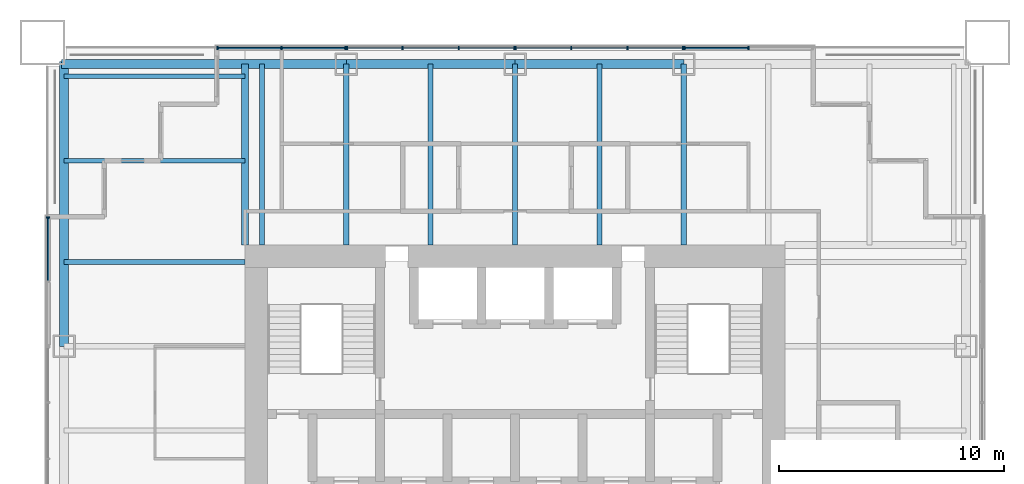
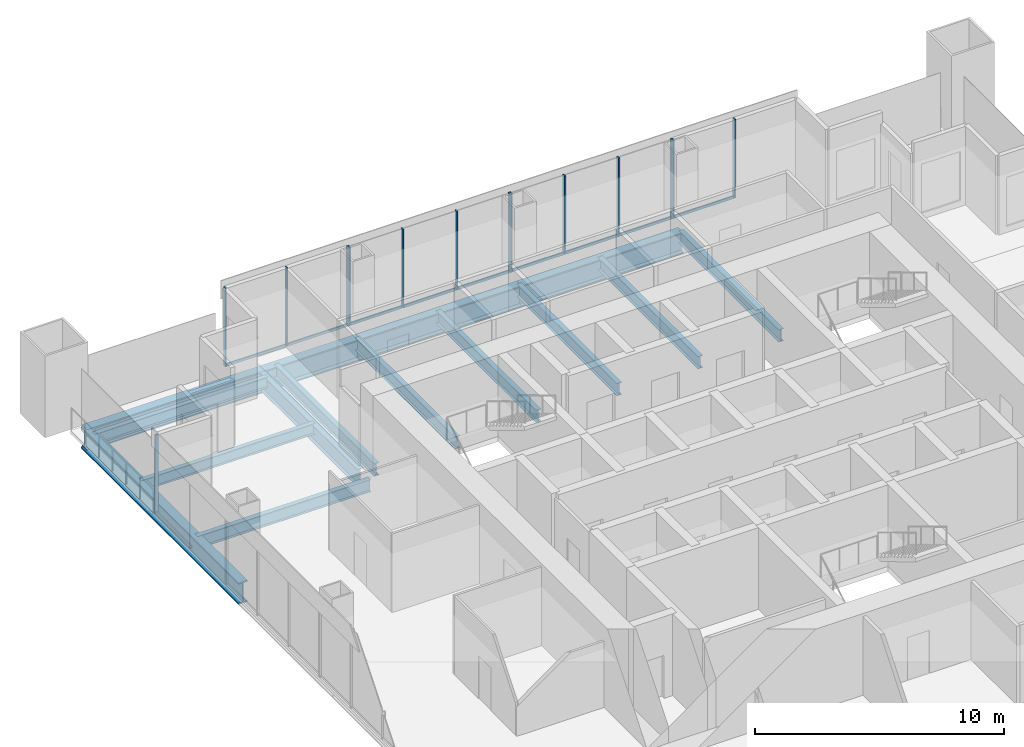
# One storey, part 6 of 14: 24 members, 14 beams, 5 elements without a shape of their own.
"""IFC4 building model written with IfcOpenShell, lengths in metres."""

from ifc_helpers import new_model, si_unit, direction, frame, origin, origin_2d, place, context, subcontext, project, spatial, rectangle, i_section, extrude, material, material_profile, profile_set, type_object, element, aggregate, save


model = new_model("IFC4")

# Units and contexts
model_context = context("Model", 3, precision=1e-05, world=origin(), true_north=direction((0.0, 1.0)))
body_context = subcontext(model_context, "Body", "Model", "MODEL_VIEW")
ifc_project = project(units=[si_unit("LENGTHUNIT", "METRE"), si_unit("AREAUNIT", "SQUARE_METRE"), si_unit("VOLUMEUNIT", "CUBIC_METRE"), si_unit("PLANEANGLEUNIT", "RADIAN"), si_unit("MASSUNIT", "GRAM", prefix="KILO")], contexts=[model_context])

# Site, building, storey
site_placement = place(None, origin())
site = spatial("IfcSite", under=ifc_project, at=site_placement, CompositionType="ELEMENT")
building_placement = place(site_placement, origin())
building = spatial("IfcBuilding", under=site, at=building_placement, Name="Tarangal Relay Tower", CompositionType="ELEMENT")
storey_placement = place(building_placement, frame((0.0, 0.0, 323.89990234375)))
storey = spatial("IfcBuildingStorey", under=building, at=storey_placement, Name="L72", CompositionType="ELEMENT", Elevation=323.89990234375)

# Beams
ifc_material_1 = material(Name="Steel ASTM A992", Category="steel")
ifc_material_profile_1 = material_profile(ifc_material_1, i_section(OverallWidth=0.209228515625, OverallDepth=0.533447265625, WebThickness=0.01025390625, FlangeThickness=0.015625, at=origin_2d()), Name="W21X62")
ifc_profile_set_1 = profile_set([ifc_material_profile_1], Name="Steel ASTM A992")
beam_type_1 = type_object("IfcBeamType", Name="Corner beam W21X62", PredefinedType="JOIST", material=ifc_profile_set_1)
for number, where, z_axis, x_axis, name in (
    (1, (-12.0, 15.75, -0.41650390625), (-1.0, 0.0, 0.0), (0.0, -1.0, 0.0), "Corner beam CB12 W L72"),
    (2, (-12.0, 19.5, -0.41650390625), (-1.0, 0.0, 0.0), (0.0, -1.0, 0.0), "Corner beam CB12 W L72"),
):
    element("IfcBeam", number, at=place(storey_placement, frame(where, z_axis=z_axis, x_axis=x_axis)), inside=storey, type_object=beam_type_1, Name=name, PredefinedType="JOIST", context=body_context, shape_type="SweptSolid", body=[
        extrude(i_section(OverallWidth=0.209228515625, OverallDepth=0.533447265625, WebThickness=0.01025390625, FlangeThickness=0.015625, at=origin_2d()), origin(), (0.0, 0.0, 1.0), 8.0400390625),
    ])
ifc_material_profile_2 = material_profile(ifc_material_1, i_section(OverallWidth=0.2919921875, OverallDepth=0.8408203125, WebThickness=0.0146484375, FlangeThickness=0.021728515625, at=origin_2d()), Name="W33X130")
ifc_profile_set_2 = profile_set([ifc_material_profile_2], Name="Steel ASTM A992")
beam_type_2 = type_object("IfcBeamType", Name="Corner girder W33X130", PredefinedType="BEAM", material=ifc_profile_set_2)
beam_1_placement = place(storey_placement, frame((-12.0, 12.0, -0.5703125), z_axis=(0.0, 1.0, 0.0), x_axis=(-1.0, 0.0, 0.0)))
element("IfcBeam", 3, at=beam_1_placement, inside=storey, type_object=beam_type_2, Name="Corner girder CG5 W L72", PredefinedType="BEAM", context=body_context, shape_type="SweptSolid", body=[
    extrude(i_section(OverallWidth=0.2919921875, OverallDepth=0.8408203125, WebThickness=0.0146484375, FlangeThickness=0.021728515625, at=origin_2d()), origin(), (0.0, 0.0, 1.0), 8.0400390625),
])
ifc_material_profile_3 = material_profile(ifc_material_1, i_section(OverallWidth=0.41162109375, OverallDepth=1.049072265625, WebThickness=0.033935546875, FlangeThickness=0.059814453125, at=origin_2d()), Name="W40X431")
ifc_profile_set_3 = profile_set([ifc_material_profile_3], Name="Steel ASTM A992")
beam_type_3 = type_object("IfcBeamType", Name="Edge girder W40X431", PredefinedType="SPANDREL", material=ifc_profile_set_3)
beam_2_placement = place(storey_placement, frame((-20.14990234375, 20.0400390625, -0.67431640625), z_axis=(1.0, 0.0, 0.0), x_axis=(0.0, 1.0, 0.0)))
element("IfcBeam", 4, at=beam_2_placement, inside=storey, type_object=beam_type_3, Name="Edge girder EG1 N L72", PredefinedType="SPANDREL", context=body_context, shape_type="SweptSolid", body=[
    extrude(i_section(OverallWidth=0.41162109375, OverallDepth=1.049072265625, WebThickness=0.033935546875, FlangeThickness=0.059814453125, at=origin_2d()), origin(), (0.0, 0.0, 1.0), 12.64990234375),
])
for number, where, z_axis, x_axis, name in (
    (5, (-7.5, 20.0400390625, -0.67431640625), (1.0, 0.0, 0.0), (0.0, 1.0, 0.0), "Edge girder EG1 N L72"),
    (6, (0.0, 20.0400390625, -0.67431640625), (1.0, 0.0, 0.0), (0.0, 1.0, 0.0), "Edge girder EG1 N L72"),
):
    element("IfcBeam", number, at=place(storey_placement, frame(where, z_axis=z_axis, x_axis=x_axis)), inside=storey, type_object=beam_type_3, Name=name, PredefinedType="SPANDREL", context=body_context, shape_type="SweptSolid", body=[
        extrude(i_section(OverallWidth=0.41162109375, OverallDepth=1.049072265625, WebThickness=0.033935546875, FlangeThickness=0.059814453125, at=origin_2d()), origin(), (0.0, 0.0, 1.0), 7.5),
    ])
beam_3_placement = place(storey_placement, frame((-20.0400390625, 7.5, -0.67431640625), z_axis=(0.0, 1.0, 0.0), x_axis=(-1.0, 0.0, 0.0)))
element("IfcBeam", 7, at=beam_3_placement, inside=storey, type_object=beam_type_3, Name="Edge girder EG1 W L72", PredefinedType="SPANDREL", context=body_context, shape_type="SweptSolid", body=[
    extrude(i_section(OverallWidth=0.41162109375, OverallDepth=1.049072265625, WebThickness=0.033935546875, FlangeThickness=0.059814453125, at=origin_2d()), origin(), (0.0, 0.0, 1.0), 12.64990234375),
])
ifc_material_profile_4 = material_profile(ifc_material_1, i_section(OverallWidth=0.228271484375, OverallDepth=0.607177734375, WebThickness=0.01123046875, FlangeThickness=0.017333984375, at=origin_2d()), Name="W24X76")
ifc_profile_set_4 = profile_set([ifc_material_profile_4], Name="Steel ASTM A992")
beam_type_4 = type_object("IfcBeamType", Name="Floor beam W24X76", PredefinedType="BEAM", material=ifc_profile_set_4)
for number, where, z_axis, x_axis, name in (
    (8, (-11.25, 12.0, -0.453369140625), (0.0, 1.0, 0.0), (-1.0, 0.0, 0.0), "Floor beam RB5 N L72"),
    (9, (-7.5, 12.0, -0.453369140625), (0.0, 1.0, 0.0), (-1.0, 0.0, 0.0), "Floor beam RB5 N L72"),
    (10, (-3.75, 12.0, -0.453369140625), (0.0, 1.0, 0.0), (-1.0, 0.0, 0.0), "Floor beam RB5 N L72"),
    (11, (0.0, 12.0, -0.453369140625), (0.0, 1.0, 0.0), (-1.0, 0.0, 0.0), "Floor beam RB5 N L72"),
    (12, (3.75, 12.0, -0.453369140625), (0.0, 1.0, 0.0), (-1.0, 0.0, 0.0), "Floor beam RB5 N L72"),
    (13, (7.5, 12.0, -0.453369140625), (0.0, 1.0, 0.0), (-1.0, 0.0, 0.0), "Floor beam RB5 N L72"),
    (14, (-12.0, 11.25, -0.453369140625), (-1.0, 0.0, 0.0), (0.0, -1.0, 0.0), "Floor beam RB5 W L72"),
):
    element("IfcBeam", number, at=place(storey_placement, frame(where, z_axis=z_axis, x_axis=x_axis)), inside=storey, type_object=beam_type_4, Name=name, PredefinedType="BEAM", context=body_context, shape_type="SweptSolid", body=[
        extrude(i_section(OverallWidth=0.228271484375, OverallDepth=0.607177734375, WebThickness=0.01123046875, FlangeThickness=0.017333984375, at=origin_2d()), origin(), (0.0, 0.0, 1.0), 8.0400390625),
    ])

# Curtain wall, members
ifc_material_2 = material(Name="Unitised curtain wall, dark glass and black aluminium", Category="aluminium")
curtain_wall_type_1 = type_object("IfcCurtainWallType", Name="Curtain wall CW-B", PredefinedType="USERDEFINED", material=ifc_material_2)
curtain_wall_1_placement = place(storey_placement, origin())
curtain_wall_1 = element("IfcCurtainWall", 15, at=curtain_wall_1_placement, inside=storey, type_object=curtain_wall_type_1, Name="Curtain wall CW-B N facade L72", ObjectType="UNITISED CURTAIN WALL", PredefinedType="USERDEFINED")
ifc_material_3 = material(Name="Black anodised aluminium mullion", Category="aluminium")
ifc_material_profile_5 = material_profile(ifc_material_3, rectangle(XDim=0.159912109375, YDim=0.06005859375, at=origin_2d()), Name="CW-BM 60X160")
ifc_profile_set_5 = profile_set([ifc_material_profile_5], Name="Black anodised aluminium mullion")
member_type_1 = type_object("IfcMemberType", Name="Mullion CW-B 60 x 160", PredefinedType="MULLION", material=ifc_profile_set_5)
member_1_placement = place(storey_placement, frame((-7.469970703125, 20.75, 0.0), z_axis=(0.0, 0.0, 1.0), x_axis=(0.0, 1.0, 0.0)))
member_1 = element("IfcMember", 16, at=member_1_placement, type_object=member_type_1, Name="CW-B mullion 1", PredefinedType="MULLION", context=body_context, shape_type="SweptSolid", body=[
    extrude(rectangle(XDim=0.159912109375, YDim=0.06005859375, at=origin_2d()), origin(), (0.0, 0.0, 1.0), 3.85009765625),
])
member_2_placement = place(storey_placement, frame((-5.0, 20.75, 0.0), z_axis=(0.0, 0.0, 1.0), x_axis=(0.0, 1.0, 0.0)))
member_2 = element("IfcMember", 17, at=member_2_placement, type_object=member_type_1, Name="CW-B mullion 2", PredefinedType="MULLION", context=body_context, shape_type="SweptSolid", body=[
    extrude(rectangle(XDim=0.159912109375, YDim=0.06005859375, at=origin_2d()), origin(), (0.0, 0.0, 1.0), 3.85009765625),
])
member_3_placement = place(storey_placement, frame((-2.5, 20.75, 0.0), z_axis=(0.0, 0.0, 1.0), x_axis=(0.0, 1.0, 0.0)))
member_3 = element("IfcMember", 18, at=member_3_placement, type_object=member_type_1, Name="CW-B mullion 3", PredefinedType="MULLION", context=body_context, shape_type="SweptSolid", body=[
    extrude(rectangle(XDim=0.159912109375, YDim=0.06005859375, at=origin_2d()), origin(), (0.0, 0.0, 1.0), 3.85009765625),
])
member_4_placement = place(storey_placement, frame((-0.030029296875, 20.75, 0.0), z_axis=(0.0, 0.0, 1.0), x_axis=(0.0, 1.0, 0.0)))
member_4 = element("IfcMember", 19, at=member_4_placement, type_object=member_type_1, Name="CW-B mullion 4", PredefinedType="MULLION", context=body_context, shape_type="SweptSolid", body=[
    extrude(rectangle(XDim=0.159912109375, YDim=0.06005859375, at=origin_2d()), origin(), (0.0, 0.0, 1.0), 3.85009765625),
])

curtain_wall_2_placement = place(storey_placement, origin())
curtain_wall_2 = element("IfcCurtainWall", 20, at=curtain_wall_2_placement, inside=storey, type_object=curtain_wall_type_1, Name="Curtain wall CW-B N facade L72", ObjectType="UNITISED CURTAIN WALL", PredefinedType="USERDEFINED")
member_5_placement = place(storey_placement, frame((0.030029296875, 20.75, 0.0), z_axis=(0.0, 0.0, 1.0), x_axis=(0.0, 1.0, 0.0)))
member_5 = element("IfcMember", 21, at=member_5_placement, type_object=member_type_1, Name="CW-B mullion 1", PredefinedType="MULLION", context=body_context, shape_type="SweptSolid", body=[
    extrude(rectangle(XDim=0.159912109375, YDim=0.06005859375, at=origin_2d()), origin(), (0.0, 0.0, 1.0), 3.85009765625),
])
member_6_placement = place(storey_placement, frame((2.5, 20.75, 0.0), z_axis=(0.0, 0.0, 1.0), x_axis=(0.0, 1.0, 0.0)))
member_6 = element("IfcMember", 22, at=member_6_placement, type_object=member_type_1, Name="CW-B mullion 2", PredefinedType="MULLION", context=body_context, shape_type="SweptSolid", body=[
    extrude(rectangle(XDim=0.159912109375, YDim=0.06005859375, at=origin_2d()), origin(), (0.0, 0.0, 1.0), 3.85009765625),
])
member_7_placement = place(storey_placement, frame((5.0, 20.75, 0.0), z_axis=(0.0, 0.0, 1.0), x_axis=(0.0, 1.0, 0.0)))
member_7 = element("IfcMember", 23, at=member_7_placement, type_object=member_type_1, Name="CW-B mullion 3", PredefinedType="MULLION", context=body_context, shape_type="SweptSolid", body=[
    extrude(rectangle(XDim=0.159912109375, YDim=0.06005859375, at=origin_2d()), origin(), (0.0, 0.0, 1.0), 3.85009765625),
])
member_8_placement = place(storey_placement, frame((7.469970703125, 20.75, 0.0), z_axis=(0.0, 0.0, 1.0), x_axis=(0.0, 1.0, 0.0)))
member_8 = element("IfcMember", 24, at=member_8_placement, type_object=member_type_1, Name="CW-B mullion 4", PredefinedType="MULLION", context=body_context, shape_type="SweptSolid", body=[
    extrude(rectangle(XDim=0.159912109375, YDim=0.06005859375, at=origin_2d()), origin(), (0.0, 0.0, 1.0), 3.85009765625),
])

ifc_material_4 = material(Name="Unitised curtain wall frame, black aluminium, with metal clad infill walls", Category="aluminium")
curtain_wall_type_2 = type_object("IfcCurtainWallType", Name="Curtain wall CW-BO", PredefinedType="USERDEFINED", material=ifc_material_4)
curtain_wall_3_placement = place(storey_placement, origin())
curtain_wall_3 = element("IfcCurtainWall", 25, at=curtain_wall_3_placement, inside=storey, type_object=curtain_wall_type_2, Name="Curtain wall CW-BO N facade L72", ObjectType="UNITISED CURTAIN WALL", PredefinedType="USERDEFINED")
ifc_material_profile_6 = material_profile(ifc_material_3, rectangle(XDim=0.159912109375, YDim=0.06005859375, at=origin_2d()), Name="CW-BOM 60X160")
ifc_profile_set_6 = profile_set([ifc_material_profile_6], Name="Black anodised aluminium mullion")
member_type_2 = type_object("IfcMemberType", Name="Mullion CW-BO 60 x 160", PredefinedType="MULLION", material=ifc_profile_set_6)
member_9_placement = place(storey_placement, frame((-13.219970703125, 20.75, 0.0), z_axis=(0.0, 0.0, 1.0), x_axis=(0.0, 1.0, 0.0)))
member_9 = element("IfcMember", 26, at=member_9_placement, type_object=member_type_2, Name="CW-BO mullion 1", PredefinedType="MULLION", context=body_context, shape_type="SweptSolid", body=[
    extrude(rectangle(XDim=0.159912109375, YDim=0.06005859375, at=origin_2d()), origin(), (0.0, 0.0, 1.0), 3.85009765625),
])
member_10_placement = place(storey_placement, frame((-10.375, 20.75, 0.0), z_axis=(0.0, 0.0, 1.0), x_axis=(0.0, 1.0, 0.0)))
member_10 = element("IfcMember", 27, at=member_10_placement, type_object=member_type_2, Name="CW-BO mullion 2", PredefinedType="MULLION", context=body_context, shape_type="SweptSolid", body=[
    extrude(rectangle(XDim=0.159912109375, YDim=0.06005859375, at=origin_2d()), origin(), (0.0, 0.0, 1.0), 3.85009765625),
])
member_11_placement = place(storey_placement, frame((-7.530029296875, 20.75, 0.0), z_axis=(0.0, 0.0, 1.0), x_axis=(0.0, 1.0, 0.0)))
member_11 = element("IfcMember", 28, at=member_11_placement, type_object=member_type_2, Name="CW-BO mullion 3", PredefinedType="MULLION", context=body_context, shape_type="SweptSolid", body=[
    extrude(rectangle(XDim=0.159912109375, YDim=0.06005859375, at=origin_2d()), origin(), (0.0, 0.0, 1.0), 3.85009765625),
])

curtain_wall_4_placement = place(storey_placement, origin())
curtain_wall_4 = element("IfcCurtainWall", 29, at=curtain_wall_4_placement, inside=storey, type_object=curtain_wall_type_2, Name="Curtain wall CW-BO N facade L72", ObjectType="UNITISED CURTAIN WALL", PredefinedType="USERDEFINED")
member_12_placement = place(storey_placement, frame((7.530029296875, 20.75, 0.0), z_axis=(0.0, 0.0, 1.0), x_axis=(0.0, 1.0, 0.0)))
member_12 = element("IfcMember", 30, at=member_12_placement, type_object=member_type_2, Name="CW-BO mullion 1", PredefinedType="MULLION", context=body_context, shape_type="SweptSolid", body=[
    extrude(rectangle(XDim=0.159912109375, YDim=0.06005859375, at=origin_2d()), origin(), (0.0, 0.0, 1.0), 3.85009765625),
])
member_13_placement = place(storey_placement, frame((10.375, 20.75, 0.0), z_axis=(0.0, 0.0, 1.0), x_axis=(0.0, 1.0, 0.0)))
member_13 = element("IfcMember", 31, at=member_13_placement, type_object=member_type_2, Name="CW-BO mullion 2", PredefinedType="MULLION", context=body_context, shape_type="SweptSolid", body=[
    extrude(rectangle(XDim=0.159912109375, YDim=0.06005859375, at=origin_2d()), origin(), (0.0, 0.0, 1.0), 3.85009765625),
])

# Curtain wall, member
curtain_wall_5_placement = place(storey_placement, origin())
curtain_wall_5 = element("IfcCurtainWall", 32, at=curtain_wall_5_placement, inside=storey, type_object=curtain_wall_type_2, Name="Curtain wall CW-BO W facade L72", ObjectType="UNITISED CURTAIN WALL", PredefinedType="USERDEFINED")
member_14_placement = place(storey_placement, frame((-20.75, 13.219970703125, 0.0), z_axis=(0.0, 0.0, 1.0), x_axis=(-1.0, 0.0, 0.0)))
member_14 = element("IfcMember", 33, at=member_14_placement, type_object=member_type_2, Name="CW-BO mullion 3", PredefinedType="MULLION", context=body_context, shape_type="SweptSolid", body=[
    extrude(rectangle(XDim=0.159912109375, YDim=0.06005859375, at=origin_2d()), origin(), (0.0, 0.0, 1.0), 3.85009765625),
])

# Member
ifc_material_5 = material(Name="Black anodised aluminium transom", Category="aluminium")
ifc_material_profile_7 = material_profile(ifc_material_5, rectangle(XDim=0.06005859375, YDim=0.1298828125, at=origin_2d()), Name="CW-BT 60X130")
ifc_profile_set_7 = profile_set([ifc_material_profile_7], Name="Black anodised aluminium transom")
member_type_3 = type_object("IfcMemberType", Name="Transom CW-B 60 x 130", PredefinedType="USERDEFINED", material=ifc_profile_set_7)
member_15_placement = place(storey_placement, frame((-7.43994140625, 20.75, 0.030029296875), z_axis=(1.0, 0.0, 0.0), x_axis=(0.0, 1.0, 0.0)))
member_15 = element("IfcMember", 34, at=member_15_placement, type_object=member_type_3, Name="CW-B transom 1.1", ObjectType="TRANSOM", PredefinedType="USERDEFINED", context=body_context, shape_type="SweptSolid", body=[
    extrude(rectangle(XDim=0.06005859375, YDim=0.1298828125, at=origin_2d()), origin(), (0.0, 0.0, 1.0), 2.409912109375),
])

member_16_placement = place(storey_placement, frame((-4.969970703125, 20.75, 0.030029296875), z_axis=(1.0, 0.0, 0.0), x_axis=(0.0, 1.0, 0.0)))
member_16 = element("IfcMember", 35, at=member_16_placement, type_object=member_type_3, Name="CW-B transom 2.1", ObjectType="TRANSOM", PredefinedType="USERDEFINED", context=body_context, shape_type="SweptSolid", body=[
    extrude(rectangle(XDim=0.06005859375, YDim=0.1298828125, at=origin_2d()), origin(), (0.0, 0.0, 1.0), 2.43994140625),
])

member_17_placement = place(storey_placement, frame((-2.469970703125, 20.75, 0.030029296875), z_axis=(1.0, 0.0, 0.0), x_axis=(0.0, 1.0, 0.0)))
member_17 = element("IfcMember", 36, at=member_17_placement, type_object=member_type_3, Name="CW-B transom 3.1", ObjectType="TRANSOM", PredefinedType="USERDEFINED", context=body_context, shape_type="SweptSolid", body=[
    extrude(rectangle(XDim=0.06005859375, YDim=0.1298828125, at=origin_2d()), origin(), (0.0, 0.0, 1.0), 2.409912109375),
])

aggregate(curtain_wall_1, [member_1, member_2, member_3, member_4, member_15, member_16, member_17])

member_18_placement = place(storey_placement, frame((0.06005859375, 20.75, 0.030029296875), z_axis=(1.0, 0.0, 0.0), x_axis=(0.0, 1.0, 0.0)))
member_18 = element("IfcMember", 37, at=member_18_placement, type_object=member_type_3, Name="CW-B transom 1.1", ObjectType="TRANSOM", PredefinedType="USERDEFINED", context=body_context, shape_type="SweptSolid", body=[
    extrude(rectangle(XDim=0.06005859375, YDim=0.1298828125, at=origin_2d()), origin(), (0.0, 0.0, 1.0), 2.409912109375),
])

member_19_placement = place(storey_placement, frame((2.530029296875, 20.75, 0.030029296875), z_axis=(1.0, 0.0, 0.0), x_axis=(0.0, 1.0, 0.0)))
member_19 = element("IfcMember", 38, at=member_19_placement, type_object=member_type_3, Name="CW-B transom 2.1", ObjectType="TRANSOM", PredefinedType="USERDEFINED", context=body_context, shape_type="SweptSolid", body=[
    extrude(rectangle(XDim=0.06005859375, YDim=0.1298828125, at=origin_2d()), origin(), (0.0, 0.0, 1.0), 2.43994140625),
])

member_20_placement = place(storey_placement, frame((5.030029296875, 20.75, 0.030029296875), z_axis=(1.0, 0.0, 0.0), x_axis=(0.0, 1.0, 0.0)))
member_20 = element("IfcMember", 39, at=member_20_placement, type_object=member_type_3, Name="CW-B transom 3.1", ObjectType="TRANSOM", PredefinedType="USERDEFINED", context=body_context, shape_type="SweptSolid", body=[
    extrude(rectangle(XDim=0.06005859375, YDim=0.1298828125, at=origin_2d()), origin(), (0.0, 0.0, 1.0), 2.409912109375),
])

aggregate(curtain_wall_2, [member_5, member_6, member_7, member_8, member_18, member_19, member_20])

ifc_material_profile_8 = material_profile(ifc_material_5, rectangle(XDim=0.06005859375, YDim=0.1298828125, at=origin_2d()), Name="CW-BOT 60X130")
ifc_profile_set_8 = profile_set([ifc_material_profile_8], Name="Black anodised aluminium transom")
member_type_4 = type_object("IfcMemberType", Name="Transom CW-BO 60 x 130", PredefinedType="USERDEFINED", material=ifc_profile_set_8)
member_21_placement = place(storey_placement, frame((-13.18994140625, 20.75, 0.030029296875), z_axis=(1.0, 0.0, 0.0), x_axis=(0.0, 1.0, 0.0)))
member_21 = element("IfcMember", 40, at=member_21_placement, type_object=member_type_4, Name="CW-BO transom 1.1", ObjectType="TRANSOM", PredefinedType="USERDEFINED", context=body_context, shape_type="SweptSolid", body=[
    extrude(rectangle(XDim=0.06005859375, YDim=0.1298828125, at=origin_2d()), origin(), (0.0, 0.0, 1.0), 2.784912109375),
])

member_22_placement = place(storey_placement, frame((-10.344970703125, 20.75, 0.030029296875), z_axis=(1.0, 0.0, 0.0), x_axis=(0.0, 1.0, 0.0)))
member_22 = element("IfcMember", 41, at=member_22_placement, type_object=member_type_4, Name="CW-BO transom 2.1", ObjectType="TRANSOM", PredefinedType="USERDEFINED", context=body_context, shape_type="SweptSolid", body=[
    extrude(rectangle(XDim=0.06005859375, YDim=0.1298828125, at=origin_2d()), origin(), (0.0, 0.0, 1.0), 2.784912109375),
])

aggregate(curtain_wall_3, [member_9, member_10, member_11, member_21, member_22])

member_23_placement = place(storey_placement, frame((7.56005859375, 20.75, 0.030029296875), z_axis=(1.0, 0.0, 0.0), x_axis=(0.0, 1.0, 0.0)))
member_23 = element("IfcMember", 42, at=member_23_placement, type_object=member_type_4, Name="CW-BO transom 1.1", ObjectType="TRANSOM", PredefinedType="USERDEFINED", context=body_context, shape_type="SweptSolid", body=[
    extrude(rectangle(XDim=0.06005859375, YDim=0.1298828125, at=origin_2d()), origin(), (0.0, 0.0, 1.0), 2.784912109375),
])

aggregate(curtain_wall_4, [member_12, member_13, member_23])

member_24_placement = place(storey_placement, frame((-20.75, 10.405029296875, 0.030029296875), z_axis=(0.0, 1.0, 0.0), x_axis=(-1.0, 0.0, 0.0)))
member_24 = element("IfcMember", 43, at=member_24_placement, type_object=member_type_4, Name="CW-BO transom 2.1", ObjectType="TRANSOM", PredefinedType="USERDEFINED", context=body_context, shape_type="SweptSolid", body=[
    extrude(rectangle(XDim=0.06005859375, YDim=0.1298828125, at=origin_2d()), origin(), (0.0, 0.0, 1.0), 2.784912109375),
])

aggregate(curtain_wall_5, [member_14, member_24])

save(model, "model.ifc")
